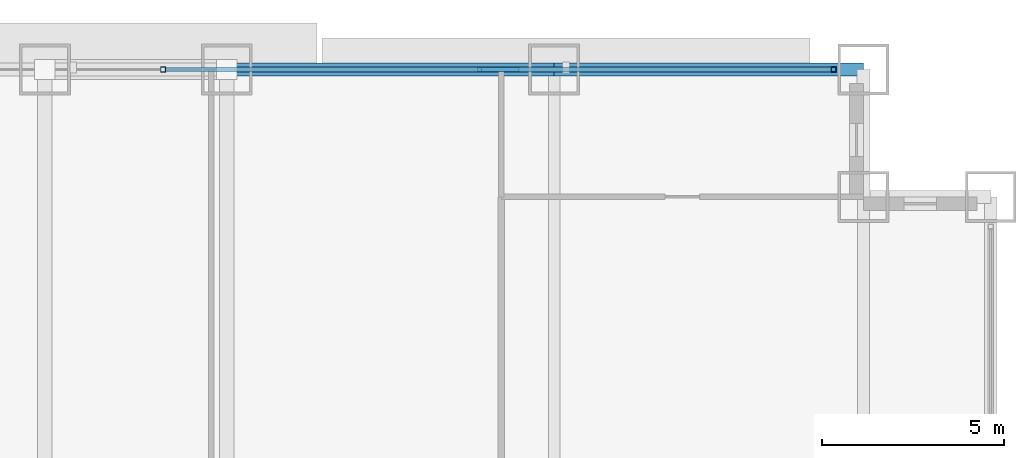
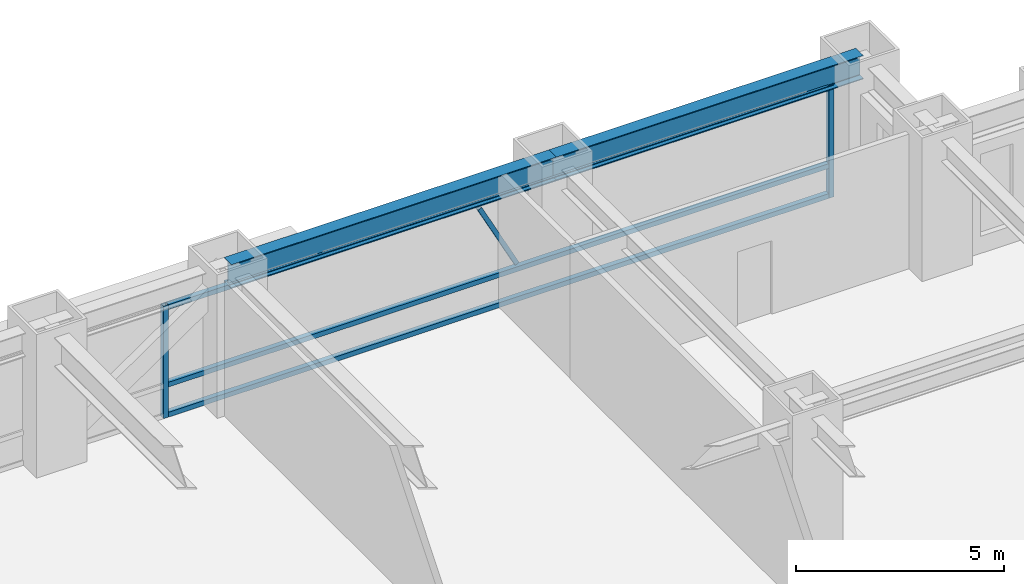
# One storey, part 21 of 31: 6 members, 2 beams, 1 element without a shape of its own.
"""IFC4 building model written with IfcOpenShell, lengths in metres."""

from ifc_helpers import new_model, si_unit, direction, frame, origin, origin_2d, place, context, subcontext, project, spatial, hollow_rectangle, i_section, extrude, source, transform, mapped, material, material_profile, profile_set, type_object, element, aggregate, save


model = new_model("IFC4")

# Units and contexts
model_context = context("Model", 3, precision=1e-05, world=origin(), true_north=direction((0.0, 1.0)))
body_context = subcontext(model_context, "Body", "Model", "MODEL_VIEW")
ifc_project = project(units=[si_unit("LENGTHUNIT", "METRE"), si_unit("AREAUNIT", "SQUARE_METRE"), si_unit("VOLUMEUNIT", "CUBIC_METRE"), si_unit("PLANEANGLEUNIT", "RADIAN"), si_unit("MASSUNIT", "GRAM", prefix="KILO")], contexts=[model_context])

# Site, building, storey
site_placement = place(None, origin())
site = spatial("IfcSite", under=ifc_project, at=site_placement, CompositionType="ELEMENT")
building_placement = place(site_placement, origin())
building = spatial("IfcBuilding", under=site, at=building_placement, Name="Khorayat Bourse Tower", CompositionType="ELEMENT")
storey_placement = place(building_placement, frame((0.0, 0.0, 41.0)))
storey = spatial("IfcBuildingStorey", under=building, at=storey_placement, Name="L08", CompositionType="ELEMENT", Elevation=41.0)

# Beams
ifc_material_1 = material(Name="Steel ASTM A992 Grade 50", Category="steel")
ifc_material_profile_1 = material_profile(ifc_material_1, i_section(OverallWidth=0.35498046875, OverallDepth=0.695068359375, WebThickness=0.015380859375, FlangeThickness=0.02490234375, FilletRadius=0.01806640625, at=origin_2d()), Name="W690X217")
ifc_profile_set_1 = profile_set([ifc_material_profile_1], Name="Steel ASTM A992 Grade 50")
beam_type = type_object("IfcBeamType", Name="BM-SPAN-690", PredefinedType="SPANDREL", material=ifc_profile_set_1)
shared_shape_1 = source(origin(), body_context, "Body", "SweptSolid", [
    extrude(i_section(OverallWidth=0.35498046875, OverallDepth=0.695068359375, WebThickness=0.015380859375, FlangeThickness=0.02490234375, FilletRadius=0.01806640625, at=origin_2d()), origin(), (0.0, 0.0, 1.0), 8.5),
])
beam_1_placement = place(storey_placement, frame((20.0, 32.0, 3.592529296875), z_axis=(1.0, 0.0, 0.0), x_axis=(0.0, 1.0, 0.0)))
element("IfcBeam", 1, at=beam_1_placement, inside=storey, type_object=beam_type, Name="L08 BM-SPAN-690 BM-L08-SPN-044", PredefinedType="SPANDREL", context=body_context, shape_type="MappedRepresentation", body=[
    mapped(shared_shape_1, transform((0.0, 0.0, 0.0), scale=1.0)),
])
shared_shape_2 = source(origin(), body_context, "Body", "SweptSolid", [
    extrude(i_section(OverallWidth=0.35498046875, OverallDepth=0.695068359375, WebThickness=0.015380859375, FlangeThickness=0.02490234375, FilletRadius=0.01806640625, at=origin_2d()), origin(), (0.0, 0.0, 1.0), 9.0),
])
beam_2_placement = place(storey_placement, frame((11.0, 32.0, 3.592529296875), z_axis=(1.0, 0.0, 0.0), x_axis=(0.0, 1.0, 0.0)))
element("IfcBeam", 2, at=beam_2_placement, inside=storey, type_object=beam_type, Name="L08 BM-SPAN-690 BM-L08-SPN-045", PredefinedType="SPANDREL", context=body_context, shape_type="MappedRepresentation", body=[
    mapped(shared_shape_2, transform((0.0, 0.0, 0.0), scale=1.0)),
])

# Curtain wall, members
ifc_material_2 = material(Name="Aluminium EN AW-6063 T6", Category="aluminium")
curtain_wall_type = type_object("IfcCurtainWallType", Name="CW-SYS-02", PredefinedType="NOTDEFINED", material=ifc_material_2)
curtain_wall_placement = place(storey_placement, origin())
curtain_wall = element("IfcCurtainWall", 3, at=curtain_wall_placement, inside=storey, type_object=curtain_wall_type, Name="L08 Curtain Wall CW-L08-N1", PredefinedType="NOTDEFINED")
ifc_material_profile_2 = material_profile(ifc_material_2, hollow_rectangle(XDim=0.139892578125, YDim=0.139892578125, WallThickness=0.006103515625, at=origin_2d()), Name="ALU 140x140x6")
ifc_profile_set_2 = profile_set([ifc_material_profile_2], Name="Aluminium EN AW-6063 T6")
member_type_1 = type_object("IfcMemberType", Name="CWT-HORZ-140", PredefinedType="USERDEFINED", material=ifc_profile_set_2)
shared_shape_3 = source(origin(), body_context, "Body", "SweptSolid", [
    extrude(hollow_rectangle(XDim=0.139892578125, YDim=0.139892578125, WallThickness=0.006103515625, at=origin_2d()), origin(), (0.0, 0.0, 1.0), 18.2900390625),
])
member_1_placement = place(storey_placement, frame((9.320068359375, 32.0, 0.070068359375), z_axis=(1.0, 0.0, 0.0), x_axis=(0.0, 1.0, 0.0)))
member_1 = element("IfcMember", 4, at=member_1_placement, type_object=member_type_1, Name="CW-L08-N1 Horizontal Transom 3-1", ObjectType="TRANSOM", PredefinedType="USERDEFINED", context=body_context, shape_type="MappedRepresentation", body=[
    mapped(shared_shape_3, transform((0.0, 0.0, 0.0), scale=1.0)),
])
member_2_placement = place(storey_placement, frame((9.320068359375, 32.0, 0.949951171875), z_axis=(1.0, 0.0, 0.0), x_axis=(0.0, 1.0, 0.0)))
member_2 = element("IfcMember", 5, at=member_2_placement, type_object=member_type_1, Name="CW-L08-N1 Horizontal Transom 3-2", ObjectType="TRANSOM", PredefinedType="USERDEFINED", context=body_context, shape_type="MappedRepresentation", body=[
    mapped(shared_shape_3, transform((0.0, 0.0, 0.0), scale=1.0)),
])
member_3_placement = place(storey_placement, frame((9.320068359375, 32.0, 3.219970703125), z_axis=(1.0, 0.0, 0.0), x_axis=(0.0, 1.0, 0.0)))
member_3 = element("IfcMember", 6, at=member_3_placement, type_object=member_type_1, Name="CW-L08-N1 Horizontal Transom 3-3", ObjectType="TRANSOM", PredefinedType="USERDEFINED", context=body_context, shape_type="MappedRepresentation", body=[
    mapped(shared_shape_3, transform((0.0, 0.0, 0.0), scale=1.0)),
])
ifc_material_profile_3 = material_profile(ifc_material_2, hollow_rectangle(XDim=0.1201171875, YDim=0.1201171875, WallThickness=0.0048828125, at=origin_2d()), Name="ALU 120x120x5")
ifc_profile_set_3 = profile_set([ifc_material_profile_3], Name="Aluminium EN AW-6063 T6")
member_type_2 = type_object("IfcMemberType", Name="CWM-DIAG-120", PredefinedType="MULLION", material=ifc_profile_set_3)
shared_shape_4 = source(origin(), body_context, "Body", "SweptSolid", [
    extrude(hollow_rectangle(XDim=0.1201171875, YDim=0.1201171875, WallThickness=0.0048828125, at=origin_2d()), origin(), (0.0, 0.0, 1.0), 2.22607421875),
])
member_4_placement = place(storey_placement, frame((18.9833984375, 32.0, 1.10009765625), z_axis=(-0.465759992596, 0.0, 0.884911085532), x_axis=(0.0, -1.0, 0.0)))
member_4 = element("IfcMember", 7, at=member_4_placement, type_object=member_type_2, Name="CW-L08-N1 Faceted Diagonal Mullion 3", PredefinedType="MULLION", context=body_context, shape_type="MappedRepresentation", body=[
    mapped(shared_shape_4, transform((0.0, 0.0, 0.0), scale=1.0)),
])
ifc_material_profile_4 = material_profile(ifc_material_2, hollow_rectangle(XDim=0.139892578125, YDim=0.139892578125, WallThickness=0.006103515625, at=origin_2d()), Name="ALU 140x140x6")
ifc_profile_set_4 = profile_set([ifc_material_profile_4], Name="Aluminium EN AW-6063 T6")
member_type_3 = type_object("IfcMemberType", Name="CWM-VERT-140", PredefinedType="MULLION", material=ifc_profile_set_4)
shared_shape_5 = source(origin(), body_context, "Body", "SweptSolid", [
    extrude(hollow_rectangle(XDim=0.139892578125, YDim=0.139892578125, WallThickness=0.006103515625, at=origin_2d()), origin(), (0.0, 0.0, 1.0), 3.2900390625),
])
member_5_placement = place(storey_placement, frame((9.25, 32.0, 0.0), z_axis=(0.0, 0.0, 1.0), x_axis=(0.0, 1.0, 0.0)))
member_5 = element("IfcMember", 8, at=member_5_placement, type_object=member_type_3, Name="CW-L08-N1 Vertical Mullion 3", PredefinedType="MULLION", context=body_context, shape_type="MappedRepresentation", body=[
    mapped(shared_shape_5, transform((0.0, 0.0, 0.0), scale=1.0)),
])
member_6_placement = place(storey_placement, frame((27.679931640625, 32.0, 0.0), z_axis=(0.0, 0.0, 1.0), x_axis=(0.0, 1.0, 0.0)))
member_6 = element("IfcMember", 9, at=member_6_placement, type_object=member_type_3, Name="CW-L08-N1 Vertical Mullion 4", PredefinedType="MULLION", context=body_context, shape_type="MappedRepresentation", body=[
    mapped(shared_shape_5, transform((0.0, 0.0, 0.0), scale=1.0)),
])
aggregate(curtain_wall, [member_5, member_6, member_1, member_2, member_3, member_4])

save(model, "model.ifc")
